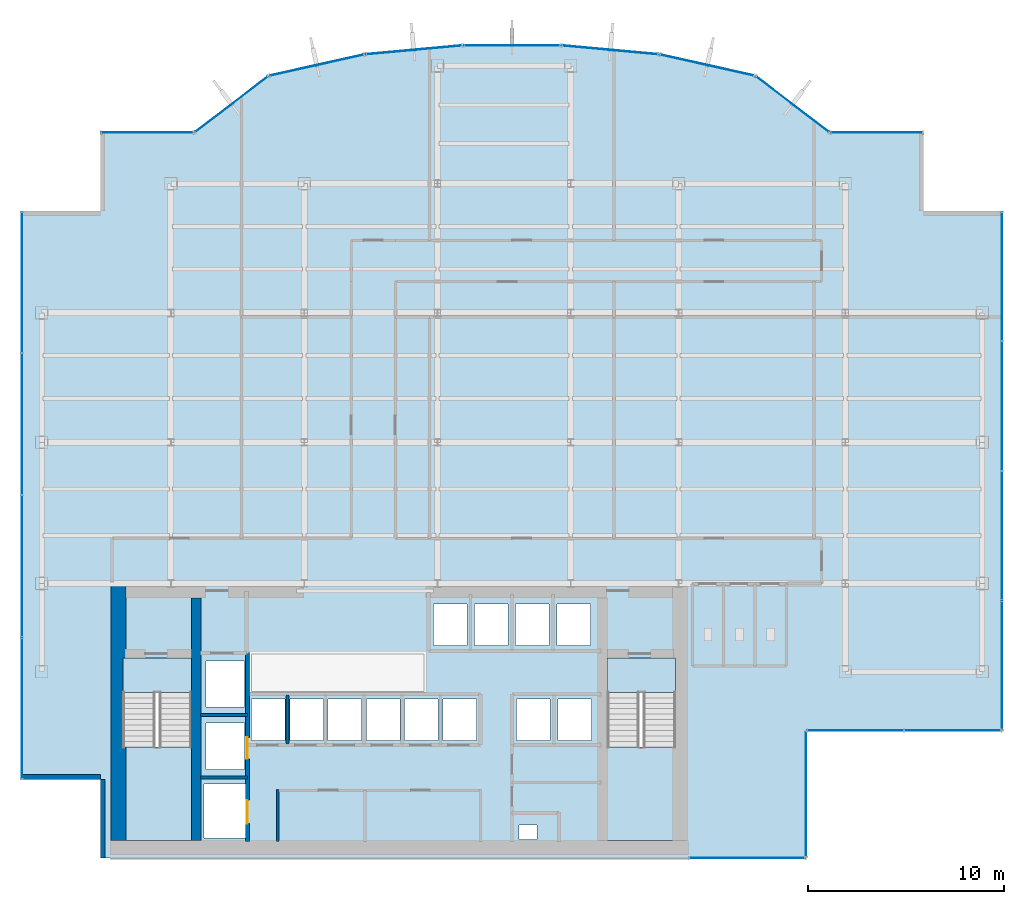
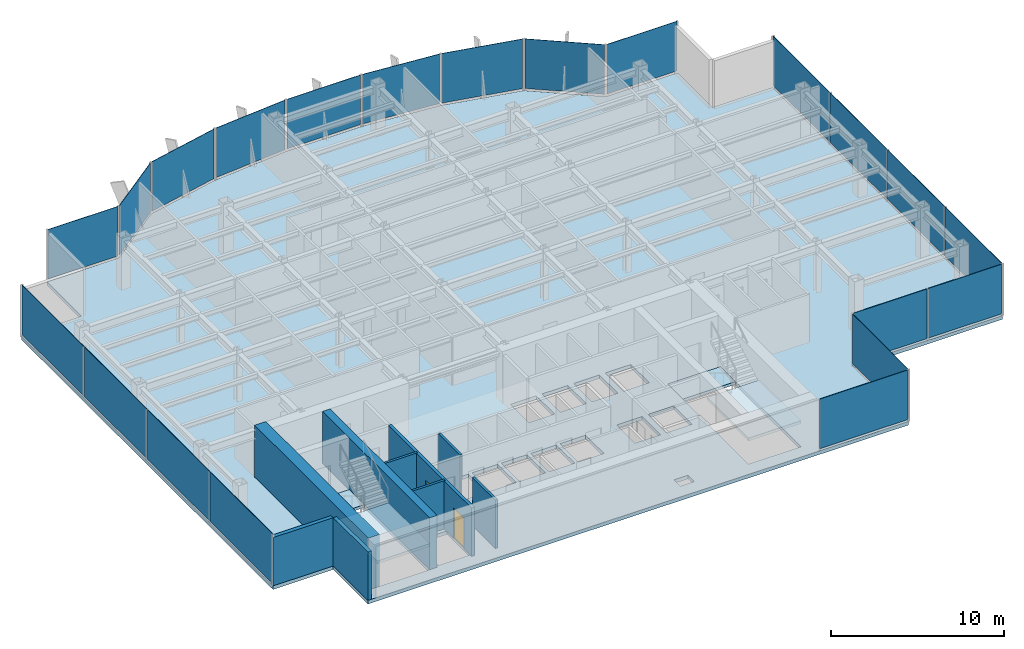
# One storey, part 19 of 25: 21 plates, 9 walls, 5 slabs, 2 doors, 2 openings, 16 elements without a shape of their own.
"""IFC4 building model written with IfcOpenShell, lengths in metres."""

import ifcopenshell
import ifcopenshell.guid

model = None  # the IFC model being written
_history = None  # IfcOwnerHistory: only IFC2X3 demands one
_inside = {}  # id of a spatial element -> (the spatial element, [elements in it])
_under = {}  # id of a project, library or spatial element -> (it, [spatial elements below it])
_declared = {}  # id of a project -> (the project, [libraries it declares])
_typed = {}  # id of a type object -> (the type object, [elements of that type])
_made_of = {}  # id of a material, layer set ... -> (it, [elements and type objects made of it])


def new_model(schema):
    """Start an empty IFC model of exactly this schema.

    Asked for "IFC4X3", IfcOpenShell would pick the latest addendum, in which some entities
    have other attributes; the version numbers below select the first issue.
    IFC2X3 requires an IfcOwnerHistory on every rooted entity: one is made here for all.
    """
    global model, _history
    if schema == "IFC4X3":
        model = ifcopenshell.file(schema_version=(4, 3, 0, 0))
    else:
        model = ifcopenshell.file(schema=schema)
    _inside.clear()
    _under.clear()
    _declared.clear()
    _typed.clear()
    _made_of.clear()
    _history = None
    if model.schema == "IFC2X3":
        org = make("IfcOrganization", Name="unknown")
        user = make(
            "IfcPersonAndOrganization",
            ThePerson=make("IfcPerson", FamilyName="unknown"),
            TheOrganization=org,
        )
        app = make(
            "IfcApplication",
            ApplicationDeveloper=org,
            Version="unknown",
            ApplicationFullName="unknown",
            ApplicationIdentifier="unknown",
        )
        _history = make(
            "IfcOwnerHistory",
            OwningUser=user,
            OwningApplication=app,
            ChangeAction="ADDED",
            CreationDate=0,
        )
    return model


def make(cls, **values):
    """One entity of the class cls with the attributes given. An attribute that is None is left unset."""
    return model.create_entity(
        cls, **{name: value for name, value in values.items() if value is not None}
    )


def rooted(cls, **values):
    """An entity with a GlobalId (a new one), such as an element, a storey or a relation."""
    return make(cls, GlobalId=ifcopenshell.guid.new(), OwnerHistory=_history, **values)


def si_unit(unit_type, name, prefix=None):
    """IfcSIUnit, for example si_unit("LENGTHUNIT", "METRE", prefix="MILLI")."""
    return make("IfcSIUnit", UnitType=unit_type, Prefix=prefix, Name=name)


def derived_unit(unit_type, elements):
    """IfcDerivedUnit: a product of units, each with its exponent."""
    return make(
        "IfcDerivedUnit",
        Elements=[
            make("IfcDerivedUnitElement", Unit=unit, Exponent=power)
            for unit, power in elements
        ],
        UnitType=unit_type,
    )


def assignment(units):
    """IfcUnitAssignment: the units of a project."""
    return None if units is None else make("IfcUnitAssignment", Units=units)


def point(xyz):
    """IfcCartesianPoint."""
    return None if xyz is None else make("IfcCartesianPoint", Coordinates=xyz)


def direction(xyz):
    """IfcDirection."""
    return None if xyz is None else make("IfcDirection", DirectionRatios=xyz)


def frame(location, z_axis=None, x_axis=None):
    """IfcAxis2Placement3D, a coordinate frame: its origin and axes. An axis left out is left unset."""
    return make(
        "IfcAxis2Placement3D",
        Location=point(location),
        Axis=direction(z_axis),
        RefDirection=direction(x_axis),
    )


def frame_2d(location, x_axis=None):
    """IfcAxis2Placement2D, a coordinate frame in the plane: its origin and x axis."""
    return make(
        "IfcAxis2Placement2D", Location=point(location), RefDirection=direction(x_axis)
    )


def origin():
    """The frame at (0, 0, 0) with its axes left unset."""
    return frame((0.0, 0.0, 0.0))


def origin_2d():
    """The frame at (0, 0) in the plane with its x axis left unset."""
    return frame_2d((0.0, 0.0))


def place(relative_to, where):
    """IfcLocalPlacement: puts the frame where relative to a parent placement (None: the world)."""
    return make(
        "IfcLocalPlacement", PlacementRelTo=relative_to, RelativePlacement=where
    )


def context(
    kind, dimensions, precision=None, world=None, true_north=None, identifier=None
):
    """IfcGeometricRepresentationContext, for example the 3D "Model" context."""
    return make(
        "IfcGeometricRepresentationContext",
        ContextIdentifier=identifier,
        ContextType=kind,
        CoordinateSpaceDimension=dimensions,
        Precision=precision,
        WorldCoordinateSystem=world,
        TrueNorth=true_north,
    )


def subcontext(parent, identifier, kind, view, scale=None):
    """IfcGeometricRepresentationSubContext, for example "Body" below "Model"."""
    return make(
        "IfcGeometricRepresentationSubContext",
        ContextIdentifier=identifier,
        ContextType=kind,
        ParentContext=parent,
        TargetScale=scale,
        TargetView=view,
    )


def project(units=None, contexts=None):
    """IfcProject with its units and contexts."""
    return rooted(
        "IfcProject",
        Name="project",
        RepresentationContexts=contexts,
        UnitsInContext=assignment(units),
    )


def spatial(cls, under=None, at=None, **own):
    """A site, building, storey or space (cls), placed at a placement, below another one or the project."""
    s = rooted(cls, ObjectPlacement=at, **own)
    if under is not None:
        _under.setdefault(under.id(), (under, []))[1].append(s)
    return s


def polyline(points):
    """IfcPolyline through the points."""
    return make("IfcPolyline", Points=[point(p) for p in points])


def profile(cls, at=None, kind="AREA", **sizes):
    """A parametric profile (cls). Its sizes go by their IFC names, for example OverallWidth=200.0."""
    return make(cls, ProfileType=kind, Position=at, **sizes)


def rectangle(**sizes):
    """IfcRectangleProfileDef."""
    return profile("IfcRectangleProfileDef", **sizes)


def outline(outer, holes=None, kind="AREA"):
    """IfcArbitraryClosedProfileDef: a profile drawn as a closed curve; with holes, ...WithVoids."""
    if holes is None:
        return make("IfcArbitraryClosedProfileDef", ProfileType=kind, OuterCurve=outer)
    return make(
        "IfcArbitraryProfileDefWithVoids",
        ProfileType=kind,
        OuterCurve=outer,
        InnerCurves=holes,
    )


def extrude(swept, where, along, depth):
    """IfcExtrudedAreaSolid: the profile swept, set in the frame where, extruded along a direction by depth."""
    return make(
        "IfcExtrudedAreaSolid",
        SweptArea=swept,
        Position=where,
        ExtrudedDirection=direction(along),
        Depth=depth,
    )


def shape(context_of_items, identifier, shape_type, items):
    """IfcShapeRepresentation: the items that make up one representation, for example the "Body"."""
    return make(
        "IfcShapeRepresentation",
        ContextOfItems=context_of_items,
        RepresentationIdentifier=identifier,
        RepresentationType=shape_type,
        Items=items,
    )


def source(mapping_origin, context_of_items, identifier, shape_type, items):
    """IfcRepresentationMap: a shape defined once, which mapped items show again and again."""
    return make(
        "IfcRepresentationMap",
        MappingOrigin=mapping_origin,
        MappedRepresentation=shape(context_of_items, identifier, shape_type, items),
    )


def transform(
    local_origin,
    x_axis=None,
    y_axis=None,
    z_axis=None,
    scale=None,
    scale2=None,
    scale3=None,
    uniform=True,
):
    """IfcCartesianTransformationOperator3D, or its non-uniform kind. x_axis, y_axis, z_axis: its Axis1, 2, 3."""
    if uniform:
        return make(
            "IfcCartesianTransformationOperator3D",
            Axis1=direction(x_axis),
            Axis2=direction(y_axis),
            LocalOrigin=point(local_origin),
            Scale=scale,
            Axis3=direction(z_axis),
        )
    return make(
        "IfcCartesianTransformationOperator3DnonUniform",
        Axis1=direction(x_axis),
        Axis2=direction(y_axis),
        LocalOrigin=point(local_origin),
        Scale=scale,
        Axis3=direction(z_axis),
        Scale2=scale2,
        Scale3=scale3,
    )


def mapped(mapping_source, mapping_target):
    """IfcMappedItem: shows the shape of a source again, moved by a transform."""
    return make(
        "IfcMappedItem", MappingSource=mapping_source, MappingTarget=mapping_target
    )


def material(Name=None, Category=None):
    """IfcMaterial."""
    return make("IfcMaterial", Name=Name, Category=Category)


def layer(
    of_material, thickness, ventilated=None, Name=None, Category=None, Priority=None
):
    """IfcMaterialLayer: one layer of a wall or slab, of a material (None: an air gap)."""
    return make(
        "IfcMaterialLayer",
        Material=of_material,
        LayerThickness=thickness,
        IsVentilated=ventilated,
        Name=Name,
        Category=Category,
        Priority=Priority,
    )


def layer_set(layers, Name=None):
    """IfcMaterialLayerSet."""
    return make("IfcMaterialLayerSet", MaterialLayers=layers, LayerSetName=Name)


def made_of(thing, what):
    """Note that an element or type object is made of a material, layer set ...; save() writes the relation."""
    if what is not None:
        _made_of.setdefault(what.id(), (what, []))[1].append(thing)
    return thing


def type_object(cls, material=None, **own):
    """A type object (cls), such as IfcWallType, which elements share."""
    return made_of(rooted(cls, **own), material)


def element(
    cls,
    number,
    at=None,
    inside=None,
    cuts=None,
    type_object=None,
    material=None,
    context=None,
    identifier="Body",
    shape_type=None,
    held_by="IfcProductDefinitionShape",
    body=None,
    shapes=None,
    **own,
):
    """One element of the class cls, such as IfcWall. Its Tag is "e" and its number.

    at: its placement. inside: the storey or other place that contains it. cuts: it is an
    opening in that element (IfcRelVoidsElement). A single representation is given by context,
    identifier, shape_type and body (its items); several are given by shapes. held_by: the class
    of the entity that holds the representations. save() writes the other relations.
    """
    e = rooted(cls, Tag="e%d" % number, ObjectPlacement=at, **own)
    if body is not None:
        shapes = [shape(context, identifier, shape_type, body)]
    if shapes is not None:
        e.Representation = make(held_by, Representations=shapes)
    if inside is not None:
        _inside.setdefault(inside.id(), (inside, []))[1].append(e)
    if cuts is not None:
        rooted(
            "IfcRelVoidsElement", RelatingBuildingElement=cuts, RelatedOpeningElement=e
        )
    if type_object is not None:
        _typed.setdefault(type_object.id(), (type_object, []))[1].append(e)
    return made_of(e, material)


def fill(opening, filler):
    """IfcRelFillsElement: the door or window that sits in an opening."""
    return rooted(
        "IfcRelFillsElement",
        RelatingOpeningElement=opening,
        RelatedBuildingElement=filler,
    )


def aggregate(whole, parts):
    """IfcRelAggregates: a whole, such as a stair, and the parts it consists of."""
    return rooted("IfcRelAggregates", RelatingObject=whole, RelatedObjects=parts)


def save(model, path):
    """Write the relations noted so far, then the file.

    IfcRelAggregates (storeys below a building ...), IfcRelContainedInSpatialStructure (elements
    in a storey), IfcRelDefinesByType, IfcRelAssociatesMaterial and IfcRelDeclares: one each for
    every whole, place, type object, material and project.
    """
    for whole, parts in _under.values():
        aggregate(whole, parts)
    for where, things in _inside.values():
        rooted(
            "IfcRelContainedInSpatialStructure",
            RelatedElements=things,
            RelatingStructure=where,
        )
    for kind, things in _typed.values():
        rooted("IfcRelDefinesByType", RelatedObjects=things, RelatingType=kind)
    for what, things in _made_of.values():
        rooted("IfcRelAssociatesMaterial", RelatedObjects=things, RelatingMaterial=what)
    for by, libraries in _declared.values():
        rooted("IfcRelDeclares", RelatingContext=by, RelatedDefinitions=libraries)
    model.write(path)


model = new_model("IFC4")

# Units and contexts
model_context = context("Model", 3, precision=1e-05, world=origin(), true_north=direction((0.0, 1.0)))
body_context = subcontext(model_context, "Body", "Model", "MODEL_VIEW")
ifc_project = project(units=[si_unit("LENGTHUNIT", "METRE"), si_unit("AREAUNIT", "SQUARE_METRE"), si_unit("VOLUMEUNIT", "CUBIC_METRE"), si_unit("PLANEANGLEUNIT", "RADIAN"), si_unit("MASSUNIT", "GRAM", prefix="KILO"), derived_unit("THERMALTRANSMITTANCEUNIT", [(si_unit("POWERUNIT", "WATT"), 1), (si_unit("LENGTHUNIT", "METRE"), -2), (si_unit("THERMODYNAMICTEMPERATUREUNIT", "KELVIN"), -1)])], contexts=[model_context])

# Site, building, storey
site_placement = place(None, origin())
site = spatial("IfcSite", under=ifc_project, at=site_placement, CompositionType="ELEMENT")
building_placement = place(site_placement, origin())
building = spatial("IfcBuilding", under=site, at=building_placement, Name="Skarnbrae Concourse Arena and Tower", CompositionType="ELEMENT")
storey_placement = place(building_placement, frame((0.0, 0.0, 173.449951171875)))
storey = spatial("IfcBuildingStorey", under=building, at=storey_placement, Name="L44", CompositionType="ELEMENT", Elevation=173.449951171875)

# Stair, slab
ifc_material_1 = material(Name="Concrete 40 MPa (C40/50)", Category="concrete")
stair_type = type_object("IfcStairType", Name="STAIR-DOGLEG-1650", PredefinedType="HALF_TURN_STAIR", material=ifc_material_1)
stair_1_placement = place(storey_placement, origin())
stair_1 = element("IfcStair", 1, at=stair_1_placement, inside=storey, type_object=stair_type, Name="L44 Protected Exit Stair ST-1", PredefinedType="HALF_TURN_STAIR")
ifc_layer_1 = layer(ifc_material_1, 0.199951171875)
ifc_layer_set_1 = layer_set([ifc_layer_1], Name="Concrete 40 MPa (C40/50)")
slab_type_1 = type_object("IfcSlabType", Name="SLAB-LANDING-200", PredefinedType="LANDING", material=ifc_layer_set_1)
slab_1_placement = place(storey_placement, frame((0.0, 0.0, 1.625)))
slab_1 = element("IfcSlab", 2, at=slab_1_placement, type_object=slab_type_1, Name="ST-1 landing 1", PredefinedType="LANDING", context=body_context, shape_type="SweptSolid", body=[
    extrude(outline(polyline([(5.14990234375, 5.64990234375), (5.14990234375, 0.89990234375), (8.64990234375, 0.89990234375), (8.64990234375, 5.64990234375), (5.14990234375, 5.64990234375)])), origin(), (0.0, 0.0, 1.0), 0.199951171875),
])
aggregate(stair_1, [slab_1])

stair_2_placement = place(storey_placement, origin())
stair_2 = element("IfcStair", 3, at=stair_2_placement, inside=storey, type_object=stair_type, Name="L44 Protected Exit Stair ST-2", PredefinedType="HALF_TURN_STAIR")
slab_2_placement = place(storey_placement, frame((0.0, 0.0, 1.625)))
slab_2 = element("IfcSlab", 4, at=slab_2_placement, type_object=slab_type_1, Name="ST-2 landing 1", PredefinedType="LANDING", context=body_context, shape_type="SweptSolid", body=[
    extrude(outline(polyline([(29.85009765625, 5.64990234375), (29.85009765625, 0.89990234375), (33.35009765625, 0.89990234375), (33.35009765625, 5.64990234375), (29.85009765625, 5.64990234375)])), origin(), (0.0, 0.0, 1.0), 0.199951171875),
])
aggregate(stair_2, [slab_2])

# Slabs
slab_3_placement = place(storey_placement, frame((0.0, 0.0, -0.199951171875)))
element("IfcSlab", 5, at=slab_3_placement, inside=storey, type_object=slab_type_1, Name="L44 Core stair ST1 floor landing", PredefinedType="LANDING", context=body_context, shape_type="SweptSolid", body=[
    extrude(outline(polyline([(5.14990234375, 10.199951171875), (5.14990234375, 8.449951171875), (8.64990234375, 8.449951171875), (8.64990234375, 10.199951171875), (5.14990234375, 10.199951171875)])), origin(), (0.0, 0.0, 1.0), 0.199951171875),
])
slab_4_placement = place(storey_placement, frame((0.0, 0.0, -0.199951171875)))
element("IfcSlab", 6, at=slab_4_placement, inside=storey, type_object=slab_type_1, Name="L44 Core stair ST2 floor landing", PredefinedType="LANDING", context=body_context, shape_type="SweptSolid", body=[
    extrude(outline(polyline([(29.85009765625, 10.199951171875), (29.85009765625, 8.449951171875), (33.35009765625, 8.449951171875), (33.35009765625, 10.199951171875), (29.85009765625, 10.199951171875)])), origin(), (0.0, 0.0, 1.0), 0.199951171875),
])
ifc_layer_2 = layer(ifc_material_1, 0.25)
ifc_layer_set_2 = layer_set([ifc_layer_2], Name="Concrete 40 MPa (C40/50)")
slab_type_2 = type_object("IfcSlabType", Name="SLAB-TOWER-250", PredefinedType="FLOOR", material=ifc_layer_set_2)
slab_5_placement = place(storey_placement, frame((0.0, 0.0, -0.25)))
element("IfcSlab", 7, at=slab_5_placement, inside=storey, type_object=slab_type_2, Name="L44 Structural floor slab", PredefinedType="FLOOR", context=body_context, shape_type="SweptSolid", body=[
    extrude(outline(polyline([(4.0, 0.0), (40.0, 0.0), (40.0, 6.5), (50.0, 6.5), (50.0, 33.0), (46.0, 33.0), (46.0, 37.0), (41.199951171875, 37.0), (37.409423828125, 39.892578125), (32.51220703125, 40.98681640625), (27.51123046875, 41.445556640625), (22.48876953125, 41.445556640625), (17.48779296875, 40.98681640625), (12.590576171875, 39.892578125), (8.800048828125, 37.0), (4.0, 37.0), (4.0, 33.0), (0.0, 33.0), (0.0, 4.0), (4.0, 4.0), (4.0, 0.0)]), holes=[polyline([(9.294921875, 3.780029296875), (11.455078125, 3.780029296875), (11.455078125, 1.02001953125), (9.294921875, 1.02001953125), (9.294921875, 3.780029296875)]), polyline([(8.64990234375, 10.199951171875), (8.64990234375, 0.89990234375), (5.14990234375, 0.89990234375), (5.14990234375, 10.199951171875), (8.64990234375, 10.199951171875)]), polyline([(9.39501953125, 6.8798828125), (11.35498046875, 6.8798828125), (11.35498046875, 4.52001953125), (9.39501953125, 4.52001953125), (9.39501953125, 6.8798828125)]), polyline([(11.719970703125, 8.10498046875), (13.429931640625, 8.10498046875), (13.429931640625, 5.9951171875), (11.719970703125, 5.9951171875), (11.719970703125, 8.10498046875)]), polyline([(13.669921875, 8.10498046875), (15.3798828125, 8.10498046875), (15.3798828125, 5.9951171875), (13.669921875, 5.9951171875), (13.669921875, 8.10498046875)]), polyline([(15.6201171875, 8.10498046875), (17.330078125, 8.10498046875), (17.330078125, 5.9951171875), (15.6201171875, 5.9951171875), (15.6201171875, 8.10498046875)]), polyline([(17.570068359375, 8.10498046875), (19.280029296875, 8.10498046875), (19.280029296875, 5.9951171875), (17.570068359375, 5.9951171875), (17.570068359375, 8.10498046875)]), polyline([(21.22998046875, 8.10498046875), (21.22998046875, 5.9951171875), (19.52001953125, 5.9951171875), (19.52001953125, 8.10498046875), (21.22998046875, 8.10498046875)]), polyline([(11.35498046875, 10.054931640625), (11.35498046875, 7.695068359375), (9.39501953125, 7.695068359375), (9.39501953125, 10.054931640625), (11.35498046875, 10.054931640625)]), polyline([(25.35009765625, 1.669921875), (26.280029296875, 1.669921875), (26.280029296875, 0.949951171875), (25.35009765625, 0.949951171875), (25.35009765625, 1.669921875)]), polyline([(33.35009765625, 10.199951171875), (33.35009765625, 0.89990234375), (29.85009765625, 0.89990234375), (29.85009765625, 10.199951171875), (33.35009765625, 10.199951171875)]), polyline([(21.469970703125, 8.10498046875), (23.179931640625, 8.10498046875), (23.179931640625, 5.9951171875), (21.469970703125, 5.9951171875), (21.469970703125, 8.10498046875)]), polyline([(25.235107421875, 8.10498046875), (26.945068359375, 8.10498046875), (26.945068359375, 5.9951171875), (25.235107421875, 5.9951171875), (25.235107421875, 8.10498046875)]), polyline([(27.3349609375, 8.10498046875), (29.044921875, 8.10498046875), (29.044921875, 5.9951171875), (27.3349609375, 5.9951171875), (27.3349609375, 8.10498046875)]), polyline([(20.985107421875, 12.955078125), (22.695068359375, 12.955078125), (22.695068359375, 10.844970703125), (20.985107421875, 10.844970703125), (20.985107421875, 12.955078125)]), polyline([(23.0849609375, 12.955078125), (24.794921875, 12.955078125), (24.794921875, 10.844970703125), (23.0849609375, 10.844970703125), (23.0849609375, 12.955078125)]), polyline([(26.89501953125, 12.955078125), (26.89501953125, 10.844970703125), (25.18505859375, 10.844970703125), (25.18505859375, 12.955078125), (26.89501953125, 12.955078125)]), polyline([(28.9951171875, 12.955078125), (28.9951171875, 10.844970703125), (27.284912109375, 10.844970703125), (27.284912109375, 12.955078125), (28.9951171875, 12.955078125)])]), origin(), (0.0, 0.0, 1.0), 0.25),
])

# Curtain wall, plates
ifc_material_2 = material(Name="Bronze anodised aluminium 6063-T6", Category="aluminium")
curtain_wall_type = type_object("IfcCurtainWallType", Name="CW-SYS-04-MIDZONE", PredefinedType="USERDEFINED", material=ifc_material_2)
curtain_wall_1_placement = place(storey_placement, origin())
curtain_wall_1 = element("IfcCurtainWall", 8, at=curtain_wall_1_placement, inside=storey, type_object=curtain_wall_type, Name="L44 Unitised curtain wall CW-L44-E03", ObjectType="UNITISED CURTAIN WALL", PredefinedType="USERDEFINED")
ifc_material_3 = material(Name="Low-E triple insulating glass", Category="glass")
ifc_layer_3 = layer(ifc_material_3, 0.031982421875)
ifc_layer_set_3 = layer_set([ifc_layer_3], Name="Low-E triple insulating glass")
plate_type = type_object("IfcPlateType", Name="CWP-CW-04", PredefinedType="CURTAIN_PANEL", material=ifc_layer_set_3)
shared_shape_1 = source(origin(), body_context, "Body", "SweptSolid", [
    extrude(rectangle(XDim=4.887451171875, YDim=0.031982421875, at=origin_2d()), origin(), (0.0, 0.0, 1.0), 3.489990234375),
])
plate_1_placement = place(storey_placement, frame((42.518798828125, 6.5, 0.16015625), z_axis=(0.0, 0.0, 1.0), x_axis=(1.0, 0.0, 0.0)))
plate_1 = element("IfcPlate", 9, at=plate_1_placement, type_object=plate_type, Name="CW-L44-E03 Low-E Glazing Panel 1", PredefinedType="CURTAIN_PANEL", context=body_context, shape_type="MappedRepresentation", body=[
    mapped(shared_shape_1, transform((0.0, 0.0, 0.0))),
])
plate_2_placement = place(storey_placement, frame((47.481201171875, 6.5, 0.16015625), z_axis=(0.0, 0.0, 1.0), x_axis=(1.0, 0.0, 0.0)))
plate_2 = element("IfcPlate", 10, at=plate_2_placement, type_object=plate_type, Name="CW-L44-E03 Low-E Glazing Panel 2", PredefinedType="CURTAIN_PANEL", context=body_context, shape_type="MappedRepresentation", body=[
    mapped(shared_shape_1, transform((0.0, 0.0, 0.0))),
])
aggregate(curtain_wall_1, [plate_1, plate_2])

# Curtain wall, plate
curtain_wall_2_placement = place(storey_placement, origin())
curtain_wall_2 = element("IfcCurtainWall", 11, at=curtain_wall_2_placement, inside=storey, type_object=curtain_wall_type, Name="L44 Unitised curtain wall CW-L44-SE-SPINE", ObjectType="UNITISED CURTAIN WALL", PredefinedType="USERDEFINED")
shared_shape_2 = source(origin(), body_context, "Body", "SweptSolid", [
    extrude(rectangle(XDim=5.85009765625, YDim=0.031982421875, at=origin_2d()), origin(), (0.0, 0.0, 1.0), 3.489990234375),
])
plate_3_placement = place(storey_placement, frame((37.0, 0.0, 0.16015625), z_axis=(0.0, 0.0, 1.0), x_axis=(1.0, 0.0, 0.0)))
plate_3 = element("IfcPlate", 12, at=plate_3_placement, type_object=plate_type, Name="CW-L44-SE-SPINE Low-E Glazing Panel 1", PredefinedType="CURTAIN_PANEL", context=body_context, shape_type="MappedRepresentation", body=[
    mapped(shared_shape_2, transform((0.0, 0.0, 0.0))),
])
aggregate(curtain_wall_2, [plate_3])

curtain_wall_3_placement = place(storey_placement, origin())
curtain_wall_3 = element("IfcCurtainWall", 13, at=curtain_wall_3_placement, inside=storey, type_object=curtain_wall_type, Name="L44 Unitised curtain wall CW-L44-E02", ObjectType="UNITISED CURTAIN WALL", PredefinedType="USERDEFINED")
shared_shape_3 = source(origin(), body_context, "Body", "SweptSolid", [
    extrude(rectangle(XDim=6.35009765625, YDim=0.031982421875, at=origin_2d()), origin(), (0.0, 0.0, 1.0), 3.489990234375),
])
plate_4_placement = place(storey_placement, frame((40.0, 3.25, 0.16015625), z_axis=(0.0, 0.0, 1.0), x_axis=(0.0, 1.0, 0.0)))
plate_4 = element("IfcPlate", 14, at=plate_4_placement, type_object=plate_type, Name="CW-L44-E02 Low-E Glazing Panel 1", PredefinedType="CURTAIN_PANEL", context=body_context, shape_type="MappedRepresentation", body=[
    mapped(shared_shape_3, transform((0.0, 0.0, 0.0))),
])
aggregate(curtain_wall_3, [plate_4])

curtain_wall_4_placement = place(storey_placement, origin())
curtain_wall_4 = element("IfcCurtainWall", 15, at=curtain_wall_4_placement, inside=storey, type_object=curtain_wall_type, Name="L44 Unitised curtain wall CW-L44-E07", ObjectType="UNITISED CURTAIN WALL", PredefinedType="USERDEFINED")
shared_shape_4 = source(origin(), body_context, "Body", "SweptSolid", [
    extrude(rectangle(XDim=4.64990234375, YDim=0.031982421875, at=origin_2d()), origin(), (0.0, 0.0, 1.0), 3.489990234375),
])
plate_5_placement = place(storey_placement, frame((43.60009765625, 37.0, 0.16015625), z_axis=(0.0, 0.0, 1.0), x_axis=(-1.0, 0.0, 0.0)))
plate_5 = element("IfcPlate", 16, at=plate_5_placement, type_object=plate_type, Name="CW-L44-E07 Low-E Glazing Panel 1", PredefinedType="CURTAIN_PANEL", context=body_context, shape_type="MappedRepresentation", body=[
    mapped(shared_shape_4, transform((0.0, 0.0, 0.0))),
])
aggregate(curtain_wall_4, [plate_5])

curtain_wall_5_placement = place(storey_placement, origin())
curtain_wall_5 = element("IfcCurtainWall", 17, at=curtain_wall_5_placement, inside=storey, type_object=curtain_wall_type, Name="L44 Unitised curtain wall CW-L44-E15", ObjectType="UNITISED CURTAIN WALL", PredefinedType="USERDEFINED")
plate_6_placement = place(storey_placement, frame((6.39990234375, 37.0, 0.16015625), z_axis=(0.0, 0.0, 1.0), x_axis=(-1.0, 0.0, 0.0)))
plate_6 = element("IfcPlate", 18, at=plate_6_placement, type_object=plate_type, Name="CW-L44-E15 Low-E Glazing Panel 1", PredefinedType="CURTAIN_PANEL", context=body_context, shape_type="MappedRepresentation", body=[
    mapped(shared_shape_4, transform((0.0, 0.0, 0.0))),
])
aggregate(curtain_wall_5, [plate_6])

curtain_wall_6_placement = place(storey_placement, origin())
curtain_wall_6 = element("IfcCurtainWall", 19, at=curtain_wall_6_placement, inside=storey, type_object=curtain_wall_type, Name="L44 Unitised curtain wall CW-L44-E08", ObjectType="UNITISED CURTAIN WALL", PredefinedType="USERDEFINED")
shared_shape_5 = source(origin(), body_context, "Body", "SweptSolid", [
    extrude(rectangle(XDim=4.6181640625, YDim=0.031982421875, at=origin_2d()), origin(), (0.0, 0.0, 1.0), 3.489990234375),
])
plate_7_placement = place(storey_placement, frame((39.3046875, 38.4462890625, 0.16015625), z_axis=(0.0, 0.0, 1.0), x_axis=(-0.794956000706, 0.606667089054, 0.0)))
plate_7 = element("IfcPlate", 20, at=plate_7_placement, type_object=plate_type, Name="CW-L44-E08 Low-E Glazing Panel 1", PredefinedType="CURTAIN_PANEL", context=body_context, shape_type="MappedRepresentation", body=[
    mapped(shared_shape_5, transform((0.0, 0.0, 0.0))),
])
aggregate(curtain_wall_6, [plate_7])

curtain_wall_7_placement = place(storey_placement, origin())
curtain_wall_7 = element("IfcCurtainWall", 21, at=curtain_wall_7_placement, inside=storey, type_object=curtain_wall_type, Name="L44 Unitised curtain wall CW-L44-E14", ObjectType="UNITISED CURTAIN WALL", PredefinedType="USERDEFINED")
plate_8_placement = place(storey_placement, frame((10.6953125, 38.4462890625, 0.16015625), z_axis=(0.0, 0.0, 1.0), x_axis=(-0.794956000706, -0.606667089054, 0.0)))
plate_8 = element("IfcPlate", 22, at=plate_8_placement, type_object=plate_type, Name="CW-L44-E14 Low-E Glazing Panel 1", PredefinedType="CURTAIN_PANEL", context=body_context, shape_type="MappedRepresentation", body=[
    mapped(shared_shape_5, transform((0.0, 0.0, 0.0))),
])
aggregate(curtain_wall_7, [plate_8])

curtain_wall_8_placement = place(storey_placement, origin())
curtain_wall_8 = element("IfcCurtainWall", 23, at=curtain_wall_8_placement, inside=storey, type_object=curtain_wall_type, Name="L44 Unitised curtain wall CW-L44-E09", ObjectType="UNITISED CURTAIN WALL", PredefinedType="USERDEFINED")
shared_shape_6 = source(origin(), body_context, "Body", "SweptSolid", [
    extrude(rectangle(XDim=4.867919921875, YDim=0.031982421875, at=origin_2d()), origin(), (0.0, 0.0, 1.0), 3.489990234375),
])
plate_9_placement = place(storey_placement, frame((34.9609375, 40.439697265625, 0.16015625), z_axis=(0.0, 0.0, 1.0), x_axis=(-0.975936175393, 0.218056372433, 0.0)))
plate_9 = element("IfcPlate", 24, at=plate_9_placement, type_object=plate_type, Name="CW-L44-E09 Low-E Glazing Panel 1", PredefinedType="CURTAIN_PANEL", context=body_context, shape_type="MappedRepresentation", body=[
    mapped(shared_shape_6, transform((0.0, 0.0, 0.0))),
])
aggregate(curtain_wall_8, [plate_9])

curtain_wall_9_placement = place(storey_placement, origin())
curtain_wall_9 = element("IfcCurtainWall", 25, at=curtain_wall_9_placement, inside=storey, type_object=curtain_wall_type, Name="L44 Unitised curtain wall CW-L44-E13", ObjectType="UNITISED CURTAIN WALL", PredefinedType="USERDEFINED")
plate_10_placement = place(storey_placement, frame((15.0390625, 40.439697265625, 0.16015625), z_axis=(0.0, 0.0, 1.0), x_axis=(-0.975936175393, -0.218056372433, 0.0)))
plate_10 = element("IfcPlate", 26, at=plate_10_placement, type_object=plate_type, Name="CW-L44-E13 Low-E Glazing Panel 1", PredefinedType="CURTAIN_PANEL", context=body_context, shape_type="MappedRepresentation", body=[
    mapped(shared_shape_6, transform((0.0, 0.0, 0.0))),
])
aggregate(curtain_wall_9, [plate_10])

curtain_wall_10_placement = place(storey_placement, origin())
curtain_wall_10 = element("IfcCurtainWall", 27, at=curtain_wall_10_placement, inside=storey, type_object=curtain_wall_type, Name="L44 Unitised curtain wall CW-L44-E10", ObjectType="UNITISED CURTAIN WALL", PredefinedType="USERDEFINED")
shared_shape_7 = source(origin(), body_context, "Body", "SweptSolid", [
    extrude(rectangle(XDim=4.8720703125, YDim=0.031982421875, at=origin_2d()), origin(), (0.0, 0.0, 1.0), 3.489990234375),
])
plate_11_placement = place(storey_placement, frame((30.01171875, 41.21630859375, 0.16015625), z_axis=(0.0, 0.0, 1.0), x_axis=(-0.995819926016, 0.091338244731, 0.0)))
plate_11 = element("IfcPlate", 28, at=plate_11_placement, type_object=plate_type, Name="CW-L44-E10 Low-E Glazing Panel 1", PredefinedType="CURTAIN_PANEL", context=body_context, shape_type="MappedRepresentation", body=[
    mapped(shared_shape_7, transform((0.0, 0.0, 0.0))),
])
aggregate(curtain_wall_10, [plate_11])

curtain_wall_11_placement = place(storey_placement, origin())
curtain_wall_11 = element("IfcCurtainWall", 29, at=curtain_wall_11_placement, inside=storey, type_object=curtain_wall_type, Name="L44 Unitised curtain wall CW-L44-E12", ObjectType="UNITISED CURTAIN WALL", PredefinedType="USERDEFINED")
plate_12_placement = place(storey_placement, frame((19.98828125, 41.21630859375, 0.16015625), z_axis=(0.0, 0.0, 1.0), x_axis=(-0.995819926016, -0.091338244731, 0.0)))
plate_12 = element("IfcPlate", 30, at=plate_12_placement, type_object=plate_type, Name="CW-L44-E12 Low-E Glazing Panel 1", PredefinedType="CURTAIN_PANEL", context=body_context, shape_type="MappedRepresentation", body=[
    mapped(shared_shape_7, transform((0.0, 0.0, 0.0))),
])
aggregate(curtain_wall_11, [plate_12])

curtain_wall_12_placement = place(storey_placement, origin())
curtain_wall_12 = element("IfcCurtainWall", 31, at=curtain_wall_12_placement, inside=storey, type_object=curtain_wall_type, Name="L44 Unitised curtain wall CW-L44-E11", ObjectType="UNITISED CURTAIN WALL", PredefinedType="USERDEFINED")
shared_shape_8 = source(origin(), body_context, "Body", "SweptSolid", [
    extrude(rectangle(XDim=4.87255859375, YDim=0.031982421875, at=origin_2d()), origin(), (0.0, 0.0, 1.0), 3.489990234375),
])
plate_13_placement = place(storey_placement, frame((25.0, 41.445556640625, 0.16015625), z_axis=(0.0, 0.0, 1.0), x_axis=(-1.0, 0.0, 0.0)))
plate_13 = element("IfcPlate", 32, at=plate_13_placement, type_object=plate_type, Name="CW-L44-E11 Low-E Glazing Panel 1", PredefinedType="CURTAIN_PANEL", context=body_context, shape_type="MappedRepresentation", body=[
    mapped(shared_shape_8, transform((0.0, 0.0, 0.0))),
])
aggregate(curtain_wall_12, [plate_13])

# Curtain wall, plates
curtain_wall_13_placement = place(storey_placement, origin())
curtain_wall_13 = element("IfcCurtainWall", 33, at=curtain_wall_13_placement, inside=storey, type_object=curtain_wall_type, Name="L44 Unitised curtain wall CW-L44-E18", ObjectType="UNITISED CURTAIN WALL", PredefinedType="USERDEFINED")
shared_shape_9 = source(origin(), body_context, "Body", "SweptSolid", [
    extrude(rectangle(XDim=7.137451171875, YDim=0.031982421875, at=origin_2d()), origin(), (0.0, 0.0, 1.0), 3.489990234375),
])
plate_14_placement = place(storey_placement, frame((0.0, 29.356201171875, 0.16015625), z_axis=(0.0, 0.0, 1.0), x_axis=(0.0, -1.0, 0.0)))
plate_14 = element("IfcPlate", 34, at=plate_14_placement, type_object=plate_type, Name="CW-L44-E18 Low-E Glazing Panel 1", PredefinedType="CURTAIN_PANEL", context=body_context, shape_type="MappedRepresentation", body=[
    mapped(shared_shape_9, transform((0.0, 0.0, 0.0))),
])
plate_15_placement = place(storey_placement, frame((0.0, 7.643798828125, 0.16015625), z_axis=(0.0, 0.0, 1.0), x_axis=(0.0, -1.0, 0.0)))
plate_15 = element("IfcPlate", 35, at=plate_15_placement, type_object=plate_type, Name="CW-L44-E18 Low-E Glazing Panel 4", PredefinedType="CURTAIN_PANEL", context=body_context, shape_type="MappedRepresentation", body=[
    mapped(shared_shape_9, transform((0.0, 0.0, 0.0))),
])
shared_shape_10 = source(origin(), body_context, "Body", "SweptSolid", [
    extrude(rectangle(XDim=7.175048828125, YDim=0.031982421875, at=origin_2d()), origin(), (0.0, 0.0, 1.0), 3.489990234375),
])
plate_16_placement = place(storey_placement, frame((0.0, 22.125, 0.16015625), z_axis=(0.0, 0.0, 1.0), x_axis=(0.0, -1.0, 0.0)))
plate_16 = element("IfcPlate", 36, at=plate_16_placement, type_object=plate_type, Name="CW-L44-E18 Low-E Glazing Panel 2", PredefinedType="CURTAIN_PANEL", context=body_context, shape_type="MappedRepresentation", body=[
    mapped(shared_shape_10, transform((0.0, 0.0, 0.0))),
])
plate_17_placement = place(storey_placement, frame((0.0, 14.875, 0.16015625), z_axis=(0.0, 0.0, 1.0), x_axis=(0.0, -1.0, 0.0)))
plate_17 = element("IfcPlate", 37, at=plate_17_placement, type_object=plate_type, Name="CW-L44-E18 Low-E Glazing Panel 3", PredefinedType="CURTAIN_PANEL", context=body_context, shape_type="MappedRepresentation", body=[
    mapped(shared_shape_10, transform((0.0, 0.0, 0.0))),
])
aggregate(curtain_wall_13, [plate_14, plate_16, plate_17, plate_15])

curtain_wall_14_placement = place(storey_placement, origin())
curtain_wall_14 = element("IfcCurtainWall", 38, at=curtain_wall_14_placement, inside=storey, type_object=curtain_wall_type, Name="L44 Unitised curtain wall CW-L44-E04", ObjectType="UNITISED CURTAIN WALL", PredefinedType="USERDEFINED")
shared_shape_11 = source(origin(), body_context, "Body", "SweptSolid", [
    extrude(rectangle(XDim=6.512451171875, YDim=0.031982421875, at=origin_2d()), origin(), (0.0, 0.0, 1.0), 3.489990234375),
])
plate_18_placement = place(storey_placement, frame((50.0, 9.831298828125, 0.16015625), z_axis=(0.0, 0.0, 1.0), x_axis=(0.0, 1.0, 0.0)))
plate_18 = element("IfcPlate", 39, at=plate_18_placement, type_object=plate_type, Name="CW-L44-E04 Low-E Glazing Panel 1", PredefinedType="CURTAIN_PANEL", context=body_context, shape_type="MappedRepresentation", body=[
    mapped(shared_shape_11, transform((0.0, 0.0, 0.0))),
])
plate_19_placement = place(storey_placement, frame((50.0, 29.668701171875, 0.16015625), z_axis=(0.0, 0.0, 1.0), x_axis=(0.0, 1.0, 0.0)))
plate_19 = element("IfcPlate", 40, at=plate_19_placement, type_object=plate_type, Name="CW-L44-E04 Low-E Glazing Panel 4", PredefinedType="CURTAIN_PANEL", context=body_context, shape_type="MappedRepresentation", body=[
    mapped(shared_shape_11, transform((0.0, 0.0, 0.0))),
])
shared_shape_12 = source(origin(), body_context, "Body", "SweptSolid", [
    extrude(rectangle(XDim=6.550048828125, YDim=0.031982421875, at=origin_2d()), origin(), (0.0, 0.0, 1.0), 3.489990234375),
])
plate_20_placement = place(storey_placement, frame((50.0, 16.4375, 0.16015625), z_axis=(0.0, 0.0, 1.0), x_axis=(0.0, 1.0, 0.0)))
plate_20 = element("IfcPlate", 41, at=plate_20_placement, type_object=plate_type, Name="CW-L44-E04 Low-E Glazing Panel 2", PredefinedType="CURTAIN_PANEL", context=body_context, shape_type="MappedRepresentation", body=[
    mapped(shared_shape_12, transform((0.0, 0.0, 0.0))),
])
plate_21_placement = place(storey_placement, frame((50.0, 23.0625, 0.16015625), z_axis=(0.0, 0.0, 1.0), x_axis=(0.0, 1.0, 0.0)))
plate_21 = element("IfcPlate", 42, at=plate_21_placement, type_object=plate_type, Name="CW-L44-E04 Low-E Glazing Panel 3", PredefinedType="CURTAIN_PANEL", context=body_context, shape_type="MappedRepresentation", body=[
    mapped(shared_shape_12, transform((0.0, 0.0, 0.0))),
])
aggregate(curtain_wall_14, [plate_18, plate_20, plate_21, plate_19])

# Walls
ifc_material_4 = material(Name="Concrete 60 MPa (C60/75)", Category="concrete")
ifc_layer_4 = layer(ifc_material_4, 0.75)
ifc_layer_set_4 = layer_set([ifc_layer_4], Name="Concrete 60 MPa (C60/75)")
wall_type_1 = type_object("IfcWallType", Name="WALL-CORE-750-C60", PredefinedType="SHEAR", material=ifc_layer_set_4)
shared_shape_13 = source(origin(), body_context, "Body", "SweptSolid", [
    extrude(rectangle(XDim=13.10009765625, YDim=0.75, at=frame_2d((6.550048828125, 0.0))), origin(), (0.0, 0.0, 1.0), 3.650146484375),
])
wall_1_placement = place(storey_placement, frame((4.925048828125, 0.89990234375, 0.0), z_axis=(0.0, 0.0, 1.0), x_axis=(0.0, 1.0, 0.0)))
element("IfcWall", 43, at=wall_1_placement, inside=storey, type_object=wall_type_1, Name="L44 Rear core shear wall CW-W", PredefinedType="SHEAR", context=body_context, shape_type="MappedRepresentation", body=[
    mapped(shared_shape_13, transform((0.0, 0.0, 0.0))),
])
ifc_layer_5 = layer(ifc_material_4, 0.5)
ifc_layer_set_5 = layer_set([ifc_layer_5], Name="Concrete 60 MPa (C60/75)")
wall_type_2 = type_object("IfcWallType", Name="WALL-CORE-500-C60", PredefinedType="SHEAR", material=ifc_layer_set_5)
shared_shape_14 = source(origin(), body_context, "Body", "SweptSolid", [
    extrude(rectangle(XDim=12.35009765625, YDim=0.5, at=frame_2d((6.175048828125, 0.0))), origin(), (0.0, 0.0, 1.0), 3.650146484375),
])
wall_2_placement = place(storey_placement, frame((8.889892578125, 0.89990234375, 0.0), z_axis=(0.0, 0.0, 1.0), x_axis=(0.0, 1.0, 0.0)))
element("IfcWall", 44, at=wall_2_placement, inside=storey, type_object=wall_type_2, Name="L44 Rear core shear wall CW-WEB-W", PredefinedType="SHEAR", context=body_context, shape_type="MappedRepresentation", body=[
    mapped(shared_shape_14, transform((0.0, 0.0, 0.0))),
])
ifc_material_5 = material(Name="Precast concrete 40 MPa (C40/50)", Category="concrete")
ifc_layer_6 = layer(ifc_material_5, 0.25)
ifc_layer_set_6 = layer_set([ifc_layer_6], Name="Precast concrete 40 MPa (C40/50)")
wall_type_3 = type_object("IfcWallType", Name="WALL-EXT-SPANDREL-250", PredefinedType="STANDARD", material=ifc_layer_set_6)
shared_shape_15 = source(origin(), body_context, "Body", "SweptSolid", [
    extrude(rectangle(XDim=4.0, YDim=0.25, at=frame_2d((2.0, 0.0))), origin(), (0.0, 0.0, 1.0), 3.400146484375),
])
for number, where, z_axis, x_axis, name in (
    (45, (0.0, 4.125, 0.0), (0.0, 0.0, 1.0), (1.0, 0.0, 0.0), "L44 Notched corner insulated return wall 19"),
    (46, (4.125, 4.0, 0.0), (0.0, 0.0, 1.0), (0.0, -1.0, 0.0), "L44 Notched corner insulated return wall 20"),
):
    element("IfcWall", number, at=place(storey_placement, frame(where, z_axis=z_axis, x_axis=x_axis)), inside=storey, type_object=wall_type_3, Name=name, PredefinedType="STANDARD", context=body_context, shape_type="MappedRepresentation", body=[
        mapped(shared_shape_15, transform((0.0, 0.0, 0.0))),
    ])

# Wall, openings, doors
ifc_material_6 = material(Name="Gypsum board on cold-formed steel studs", Category="steel")
ifc_layer_7 = layer(ifc_material_6, 0.199951171875)
ifc_layer_set_7 = layer_set([ifc_layer_7], Name="Gypsum board on cold-formed steel studs")
wall_type_4 = type_object("IfcWallType", Name="WALL-PART-200-2HR", PredefinedType="PARTITIONING", material=ifc_layer_set_7)
shared_shape_16 = source(origin(), body_context, "Body", "SweptSolid", [
    extrude(rectangle(XDim=9.599853515625, YDim=0.199951171875, at=frame_2d((4.7998046875, 0.0))), origin(), (0.0, 0.0, 1.0), 3.400146484375),
])
wall_3_placement = place(storey_placement, frame((11.5, 0.85009765625, 0.0), z_axis=(0.0, 0.0, 1.0), x_axis=(0.0, 1.0, 0.0)))
wall_3 = element("IfcWall", 47, at=wall_3_placement, inside=storey, type_object=wall_type_4, Name="L44 Interior partition wall W-L44-FL-E", PredefinedType="PARTITIONING", context=body_context, shape_type="MappedRepresentation", body=[
    mapped(shared_shape_16, transform((0.0, 0.0, 0.0))),
])
opening_1_placement = place(wall_3_placement, frame((4.199951171875, 0.0, 0.0)))
opening_1 = element("IfcOpeningElement", 48, at=opening_1_placement, cuts=wall_3, Name="Opening LD-01", PredefinedType="OPENING", context=body_context, shape_type="SweptSolid", body=[
    extrude(rectangle(XDim=1.10009765625, YDim=2.14990234375, at=frame_2d((0.550048828125, 1.074951171875))), frame((0.0, 0.10986328125, 0.0), z_axis=(0.0, -1.0, 0.0), x_axis=(1.0, 0.0, 0.0)), (0.0, 0.0, 1.0), 0.219970703125),
])
opening_2_placement = place(wall_3_placement, frame((0.89990234375, 0.0, 0.0)))
opening_2 = element("IfcOpeningElement", 49, at=opening_2_placement, cuts=wall_3, Name="Opening LD-02", PredefinedType="OPENING", context=body_context, shape_type="SweptSolid", body=[
    extrude(rectangle(XDim=1.199951171875, YDim=2.14990234375, at=frame_2d((0.60009765625, 1.074951171875))), frame((0.0, 0.10986328125, 0.0), z_axis=(0.0, -1.0, 0.0), x_axis=(1.0, 0.0, 0.0)), (0.0, 0.0, 1.0), 0.219970703125),
])
ifc_material_7 = material(Name="Steel CSA G40.21 350W", Category="steel")
door_type_1 = type_object("IfcDoorType", Name="DOOR-LIFT-SLIDE-1100", OperationType="SLIDING_TO_LEFT", PredefinedType="DOOR", material=ifc_material_7)
shared_shape_17 = source(origin(), body_context, "Body", "SweptSolid", [
    extrude(rectangle(XDim=1.10009765625, YDim=2.14990234375, at=frame_2d((0.550048828125, 1.074951171875))), frame((0.0, 0.02490234375, 0.0), z_axis=(0.0, -1.0, 0.0), x_axis=(1.0, 0.0, 0.0)), (0.0, 0.0, 1.0), 0.050048828125),
])
door_1_placement = place(opening_1_placement, frame((1.10009765625, 0.0, 0.0), z_axis=(0.0, 0.0, 1.0), x_axis=(-1.0, 0.0, 0.0)))
door_1 = element("IfcDoor", 50, at=door_1_placement, inside=storey, type_object=door_type_1, Name="D-1353 Firefighting Lift Landing Door FL-02", OperationType="SLIDING_TO_LEFT", OverallHeight=2.14990234375, OverallWidth=1.10009765625, PredefinedType="DOOR", context=body_context, shape_type="MappedRepresentation", body=[
    mapped(shared_shape_17, transform((0.0, 0.0, 0.0))),
])
fill(opening_1, door_1)
door_type_2 = type_object("IfcDoorType", Name="DOOR-LIFT-SLIDE-1200", OperationType="SLIDING_TO_LEFT", PredefinedType="DOOR", material=ifc_material_7)
shared_shape_18 = source(origin(), body_context, "Body", "SweptSolid", [
    extrude(rectangle(XDim=1.199951171875, YDim=2.14990234375, at=frame_2d((0.60009765625, 1.074951171875))), frame((0.0, 0.02490234375, 0.0), z_axis=(0.0, -1.0, 0.0), x_axis=(1.0, 0.0, 0.0)), (0.0, 0.0, 1.0), 0.050048828125),
])
door_2_placement = place(opening_2_placement, frame((1.199951171875, 0.0, 0.0), z_axis=(0.0, 0.0, 1.0), x_axis=(-1.0, 0.0, 0.0)))
door_2 = element("IfcDoor", 51, at=door_2_placement, inside=storey, type_object=door_type_2, Name="D-1354 Service Lift Landing Door SV-01", OperationType="SLIDING_TO_LEFT", OverallHeight=2.14990234375, OverallWidth=1.199951171875, PredefinedType="DOOR", context=body_context, shape_type="MappedRepresentation", body=[
    mapped(shared_shape_18, transform((0.0, 0.0, 0.0))),
])
fill(opening_2, door_2)

# Walls
ifc_layer_8 = layer(ifc_material_6, 0.14990234375)
ifc_layer_set_8 = layer_set([ifc_layer_8], Name="Gypsum board on cold-formed steel studs")
wall_type_5 = type_object("IfcWallType", Name="WALL-PART-150", PredefinedType="PARTITIONING", material=ifc_layer_set_8)
shared_shape_19 = source(origin(), body_context, "Body", "SweptSolid", [
    extrude(rectangle(XDim=2.39990234375, YDim=0.14990234375, at=frame_2d((1.199951171875, 0.0))), origin(), (0.0, 0.0, 1.0), 3.400146484375),
])
for number, where, z_axis, x_axis, name in (
    (52, (9.10009765625, 4.10009765625, 0.0), (0.0, 0.0, 1.0), (1.0, 0.0, 0.0), "L44 Interior partition wall W-L44-FL-D1"),
    (53, (9.10009765625, 7.300048828125, 0.0), (0.0, 0.0, 1.0), (1.0, 0.0, 0.0), "L44 Interior partition wall W-L44-FL-D2"),
):
    element("IfcWall", number, at=place(storey_placement, frame(where, z_axis=z_axis, x_axis=x_axis)), inside=storey, type_object=wall_type_5, Name=name, PredefinedType="PARTITIONING", context=body_context, shape_type="MappedRepresentation", body=[
        mapped(shared_shape_19, transform((0.0, 0.0, 0.0))),
    ])
shared_shape_20 = source(origin(), body_context, "Body", "SweptSolid", [
    extrude(rectangle(XDim=2.5, YDim=0.14990234375, at=frame_2d((1.25, 0.0))), origin(), (0.0, 0.0, 1.0), 3.400146484375),
])
wall_4_placement = place(storey_placement, frame((13.550048828125, 5.800048828125, 0.0), z_axis=(0.0, 0.0, 1.0), x_axis=(0.0, 1.0, 0.0)))
element("IfcWall", 54, at=wall_4_placement, inside=storey, type_object=wall_type_5, Name="L44 Interior partition wall W-L44-B2-P1", PredefinedType="PARTITIONING", context=body_context, shape_type="MappedRepresentation", body=[
    mapped(shared_shape_20, transform((0.0, 0.0, 0.0))),
])
ifc_layer_9 = layer(ifc_material_6, 0.14990234375)
ifc_layer_set_9 = layer_set([ifc_layer_9], Name="Gypsum board on cold-formed steel studs")
wall_type_6 = type_object("IfcWallType", Name="WALL-PART-150-1HR", PredefinedType="PARTITIONING", material=ifc_layer_set_9)
shared_shape_21 = source(origin(), body_context, "Body", "SweptSolid", [
    extrude(rectangle(XDim=2.64990234375, YDim=0.14990234375, at=frame_2d((1.324951171875, 0.0))), origin(), (0.0, 0.0, 1.0), 3.400146484375),
])
wall_5_placement = place(storey_placement, frame((13.050048828125, 0.85009765625, 0.0), z_axis=(0.0, 0.0, 1.0), x_axis=(0.0, 1.0, 0.0)))
element("IfcWall", 55, at=wall_5_placement, inside=storey, type_object=wall_type_6, Name="L44 Interior partition wall W-L44-B1M-W", PredefinedType="PARTITIONING", context=body_context, shape_type="MappedRepresentation", body=[
    mapped(shared_shape_21, transform((0.0, 0.0, 0.0))),
])

save(model, "model.ifc")
